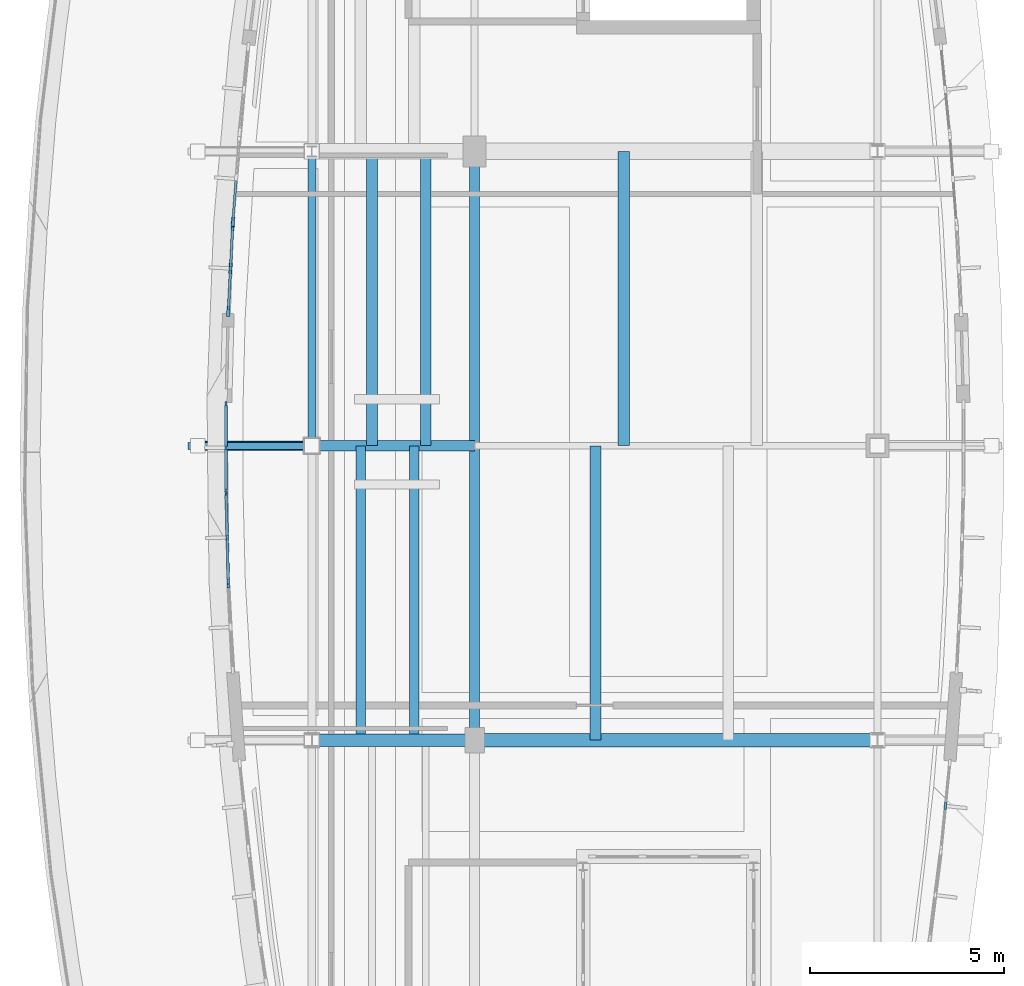
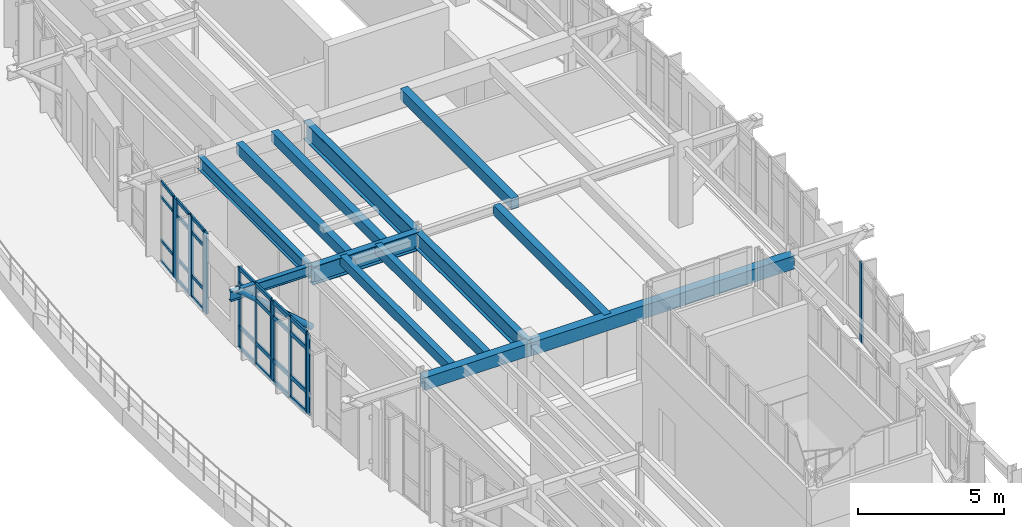
# One storey, part 7 of 20: 41 members, 13 beams, 6 elements without a shape of their own.
"""IFC4 building model written with IfcOpenShell, lengths in metres."""

from ifc_helpers import new_model, si_unit, direction, frame, origin, origin_2d, place, context, subcontext, project, spatial, rectangle, hollow_circle, i_section, extrude, material, material_profile, profile_set, type_object, element, aggregate, save


model = new_model("IFC4")

# Units and contexts
model_context = context("Model", 3, precision=1e-05, world=origin(), true_north=direction((0.0, 1.0)))
body_context = subcontext(model_context, "Body", "Model", "MODEL_VIEW")
ifc_project = project(units=[si_unit("LENGTHUNIT", "METRE"), si_unit("AREAUNIT", "SQUARE_METRE"), si_unit("VOLUMEUNIT", "CUBIC_METRE"), si_unit("PLANEANGLEUNIT", "RADIAN"), si_unit("MASSUNIT", "GRAM", prefix="KILO")], contexts=[model_context])

# Site, building, storey
site_placement = place(None, origin())
site = spatial("IfcSite", under=ifc_project, at=site_placement, CompositionType="ELEMENT")
building_placement = place(site_placement, origin())
building = spatial("IfcBuilding", under=site, at=building_placement, Name="Corveleigh Park Community Centre", CompositionType="ELEMENT")
storey_placement = place(building_placement, frame((0.0, 0.0, 19.800048828125)))
storey = spatial("IfcBuildingStorey", under=building, at=storey_placement, Name="L05", CompositionType="ELEMENT", Elevation=19.800048828125)

# Beams
ifc_material_1 = material(Name="Concrete C40/50", Category="concrete")
ifc_material_profile_1 = material_profile(ifc_material_1, rectangle(XDim=0.25, YDim=0.39990234375, at=origin_2d()), Name="RC-250x400", Category="concrete")
ifc_profile_set_1 = profile_set([ifc_material_profile_1], Name="Concrete C40/50")
beam_type_1 = type_object("IfcBeamType", Name="BM-RC-250x400", PredefinedType="JOIST", material=ifc_profile_set_1)
for number, where, z_axis, x_axis, name in (
    (1, (155.06005859375, 73.804931640625, 3.112060546875), (0.0, 1.0, 0.0), (-1.0, 0.0, 0.0), "Secondary floor joist"),
    (2, (156.446044921875, 73.804931640625, 3.112060546875), (0.0, 1.0, 0.0), (-1.0, 0.0, 0.0), "Secondary floor joist"),
):
    element("IfcBeam", number, at=place(storey_placement, frame(where, z_axis=z_axis, x_axis=x_axis)), inside=storey, type_object=beam_type_1, Name=name, PredefinedType="JOIST", context=body_context, shape_type="SweptSolid", body=[
        extrude(rectangle(XDim=0.25, YDim=0.39990234375, at=origin_2d()), origin(), (0.0, 0.0, 1.0), 7.590087890625),
    ])
ifc_material_profile_2 = material_profile(ifc_material_1, rectangle(XDim=0.27490234375, YDim=0.425048828125, at=origin_2d()), Name="RC-275x425", Category="concrete")
ifc_profile_set_2 = profile_set([ifc_material_profile_2], Name="Concrete C40/50")
beam_type_2 = type_object("IfcBeamType", Name="BM-RC-275x425", PredefinedType="JOIST", material=ifc_profile_set_2)
for number, where, z_axis, x_axis, name in (
    (3, (155.35400390625, 81.405029296875, 3.099365234375), (0.0, 1.0, 0.0), (-1.0, 0.0, 0.0), "Secondary floor joist"),
    (4, (156.739990234375, 81.405029296875, 3.099365234375), (0.0, 1.0, 0.0), (-1.0, 0.0, 0.0), "Secondary floor joist"),
    (5, (161.1201171875, 73.804931640625, 3.099365234375), (0.0, 1.0, 0.0), (-1.0, 0.0, 0.0), "Secondary floor joist"),
):
    element("IfcBeam", number, at=place(storey_placement, frame(where, z_axis=z_axis, x_axis=x_axis)), inside=storey, type_object=beam_type_2, Name=name, PredefinedType="JOIST", context=body_context, shape_type="SweptSolid", body=[
        extrude(rectangle(XDim=0.27490234375, YDim=0.425048828125, at=origin_2d()), origin(), (0.0, 0.0, 1.0), 7.590087890625),
    ])
ifc_material_profile_3 = material_profile(ifc_material_1, rectangle(XDim=0.300048828125, YDim=0.449951171875, at=origin_2d()), Name="RC-300x450", Category="concrete")
ifc_profile_set_3 = profile_set([ifc_material_profile_3], Name="Concrete C40/50")
beam_type_3 = type_object("IfcBeamType", Name="BM-RC-300x450", PredefinedType="JOIST", material=ifc_profile_set_3)
beam_1_placement = place(storey_placement, frame((161.847900390625, 81.405029296875, 3.0869140625), z_axis=(0.0, 1.0, 0.0), x_axis=(-1.0, 0.0, 0.0)))
element("IfcBeam", 6, at=beam_1_placement, inside=storey, type_object=beam_type_3, Name="Secondary floor joist", PredefinedType="JOIST", context=body_context, shape_type="SweptSolid", body=[
    extrude(rectangle(XDim=0.300048828125, YDim=0.449951171875, at=origin_2d()), origin(), (0.0, 0.0, 1.0), 7.590087890625),
])
ifc_material_profile_4 = material_profile(ifc_material_1, rectangle(XDim=0.324951171875, YDim=0.52490234375, at=origin_2d()), Name="RC-325x525", Category="concrete")
ifc_profile_set_4 = profile_set([ifc_material_profile_4], Name="Concrete C40/50")
beam_type_4 = type_object("IfcBeamType", Name="BM-RC-325x525", PredefinedType="BEAM", material=ifc_profile_set_4)
beam_2_placement = place(storey_placement, frame((153.804931640625, 73.800048828125, 3.049560546875), z_axis=(1.0, 0.0, 0.0), x_axis=(0.0, 1.0, 0.0)))
element("IfcBeam", 7, at=beam_2_placement, inside=storey, type_object=beam_type_4, Name="V4 Girder X", PredefinedType="BEAM", context=body_context, shape_type="SweptSolid", body=[
    extrude(rectangle(XDim=0.324951171875, YDim=0.52490234375, at=origin_2d()), origin(), (0.0, 0.0, 1.0), 4.190185546875),
])
ifc_material_profile_5 = material_profile(ifc_material_1, rectangle(XDim=0.35009765625, YDim=0.550048828125, at=origin_2d()), Name="RC-350x550", Category="concrete")
ifc_profile_set_5 = profile_set([ifc_material_profile_5], Name="Concrete C40/50")
beam_type_5 = type_object("IfcBeamType", Name="BM-RC-350x550", PredefinedType="BEAM", material=ifc_profile_set_5)
beam_3_placement = place(storey_placement, frame((158.0048828125, 73.800048828125, 3.036865234375), z_axis=(1.0, 0.0, 0.0), x_axis=(0.0, 1.0, 0.0)))
element("IfcBeam", 8, at=beam_3_placement, inside=storey, type_object=beam_type_5, Name="V4 Girder X", PredefinedType="BEAM", context=body_context, shape_type="SweptSolid", body=[
    extrude(rectangle(XDim=0.35009765625, YDim=0.550048828125, at=origin_2d()), origin(), (0.0, 0.0, 1.0), 10.39013671875),
])
ifc_material_2 = material(Name="Steel S355", Category="steel")
ifc_material_profile_6 = material_profile(ifc_material_2, i_section(OverallWidth=0.1787109375, OverallDepth=0.409423828125, WebThickness=0.0087890625, FlangeThickness=0.014404296875, at=origin_2d()), Name="UKB 406x178x67", Category="steel")
ifc_profile_set_6 = profile_set([ifc_material_profile_6], Name="Steel S355")
beam_type_6 = type_object("IfcBeamType", Name="BM-STL-UKB406x67", PredefinedType="BEAM", material=ifc_profile_set_6)
beam_4_placement = place(storey_placement, frame((153.7900390625, 81.39990234375, 3.1591796875), z_axis=(-1.0, 0.0, 0.0), x_axis=(0.0, -1.0, 0.0)))
element("IfcBeam", 9, at=beam_4_placement, inside=storey, type_object=beam_type_6, Name="V4 Crown Overhang Strut X5Y3 Outrigger", PredefinedType="BEAM", context=body_context, shape_type="SweptSolid", body=[
    extrude(i_section(OverallWidth=0.1787109375, OverallDepth=0.409423828125, WebThickness=0.0087890625, FlangeThickness=0.014404296875, at=origin_2d()), origin(), (0.0, 0.0, 1.0), 3.18994140625),
])
ifc_material_profile_7 = material_profile(ifc_material_2, i_section(OverallWidth=0.2099609375, OverallDepth=0.53662109375, WebThickness=0.0107421875, FlangeThickness=0.017333984375, at=origin_2d()), Name="UKB 533x210x101", Category="steel")
ifc_profile_set_7 = profile_set([ifc_material_profile_7], Name="Steel S355")
beam_type_7 = type_object("IfcBeamType", Name="BM-STL-UKB533x101", PredefinedType="BEAM", material=ifc_profile_set_7)
beam_5_placement = place(storey_placement, frame((153.800048828125, 81.405029296875, 3.04345703125), z_axis=(0.0, 1.0, 0.0), x_axis=(-1.0, 0.0, 0.0)))
element("IfcBeam", 10, at=beam_5_placement, inside=storey, type_object=beam_type_7, Name="V4 Girder Y", PredefinedType="BEAM", context=body_context, shape_type="SweptSolid", body=[
    extrude(i_section(OverallWidth=0.2099609375, OverallDepth=0.53662109375, WebThickness=0.0107421875, FlangeThickness=0.017333984375, at=origin_2d()), origin(), (0.0, 0.0, 1.0), 7.590087890625),
])
ifc_material_profile_8 = material_profile(ifc_material_2, i_section(OverallWidth=0.25439453125, OverallDepth=0.6875, WebThickness=0.01318359375, FlangeThickness=0.02099609375, at=origin_2d()), Name="UKB 686x254x152", Category="steel")
ifc_profile_set_8 = profile_set([ifc_material_profile_8], Name="Steel S355")
beam_type_8 = type_object("IfcBeamType", Name="BM-STL-UKB686x152", PredefinedType="BEAM", material=ifc_profile_set_8)
beam_6_placement = place(storey_placement, frame((158.0, 73.804931640625, 2.96826171875), z_axis=(0.0, 1.0, 0.0), x_axis=(-1.0, 0.0, 0.0)))
element("IfcBeam", 11, at=beam_6_placement, inside=storey, type_object=beam_type_8, Name="V4 Girder Y", PredefinedType="BEAM", context=body_context, shape_type="SweptSolid", body=[
    extrude(i_section(OverallWidth=0.25439453125, OverallDepth=0.6875, WebThickness=0.01318359375, FlangeThickness=0.02099609375, at=origin_2d()), origin(), (0.0, 0.0, 1.0), 7.590087890625),
])
ifc_material_profile_9 = material_profile(ifc_material_2, i_section(OverallWidth=0.2666015625, OverallDepth=0.76220703125, WebThickness=0.014404296875, FlangeThickness=0.021484375, at=origin_2d()), Name="UKB 762x267x173", Category="steel")
ifc_profile_set_9 = profile_set([ifc_material_profile_9], Name="Steel S355")
beam_type_9 = type_object("IfcBeamType", Name="BM-STL-UKB762x173", PredefinedType="BEAM", material=ifc_profile_set_9)
beam_7_placement = place(storey_placement, frame((153.804931640625, 81.39990234375, 2.930908203125), z_axis=(1.0, 0.0, 0.0), x_axis=(0.0, 1.0, 0.0)))
element("IfcBeam", 12, at=beam_7_placement, inside=storey, type_object=beam_type_9, Name="V4 Girder X", PredefinedType="BEAM", context=body_context, shape_type="SweptSolid", body=[
    extrude(i_section(OverallWidth=0.2666015625, OverallDepth=0.76220703125, WebThickness=0.014404296875, FlangeThickness=0.021484375, at=origin_2d()), origin(), (0.0, 0.0, 1.0), 4.190185546875),
])
beam_8_placement = place(storey_placement, frame((158.0, 81.405029296875, 2.930908203125), z_axis=(0.0, 1.0, 0.0), x_axis=(-1.0, 0.0, 0.0)))
element("IfcBeam", 13, at=beam_8_placement, inside=storey, type_object=beam_type_9, Name="V4 Girder Y", PredefinedType="BEAM", context=body_context, shape_type="SweptSolid", body=[
    extrude(i_section(OverallWidth=0.2666015625, OverallDepth=0.76220703125, WebThickness=0.014404296875, FlangeThickness=0.021484375, at=origin_2d()), origin(), (0.0, 0.0, 1.0), 7.590087890625),
])

# Curtain wall, members
ifc_material_3 = material(Name="Anodised aluminium 6063-T6", Category="aluminium")
curtain_wall_type = type_object("IfcCurtainWallType", Name="CW-SYS-V4-L03", PredefinedType="NOTDEFINED", material=ifc_material_3)
curtain_wall_1_placement = place(storey_placement, origin())
curtain_wall_1 = element("IfcCurtainWall", 14, at=curtain_wall_1_placement, inside=storey, type_object=curtain_wall_type, Name="V4 L05 Curtain Wall 493", PredefinedType="NOTDEFINED")
ifc_material_profile_10 = material_profile(ifc_material_3, rectangle(XDim=0.06005859375, YDim=0.159912109375, at=origin_2d()), Name="ALU-M60x160", Category="aluminium")
ifc_profile_set_10 = profile_set([ifc_material_profile_10], Name="Anodised aluminium 6063-T6")
member_type_1 = type_object("IfcMemberType", Name="CWM-60x160", PredefinedType="MULLION", material=ifc_profile_set_10)
member_1_placement = place(storey_placement, frame((151.5849609375, 80.23095703125, 0.0), z_axis=(0.0, 0.0, 1.0), x_axis=(-1.0, 0.0, 0.0)))
member_1 = element("IfcMember", 15, at=member_1_placement, type_object=member_type_1, Name="CW09 mullion 1", PredefinedType="MULLION", context=body_context, shape_type="SweptSolid", body=[
    extrude(rectangle(XDim=0.06005859375, YDim=0.159912109375, at=origin_2d()), origin(), (0.0, 0.0, 1.0), 3.364013671875),
])
member_2_placement = place(storey_placement, frame((151.5849609375, 81.35009765625, 0.0), z_axis=(0.0, 0.0, 1.0), x_axis=(-1.0, 0.0, 0.0)))
member_2 = element("IfcMember", 16, at=member_2_placement, type_object=member_type_1, Name="CW09 mullion 2", PredefinedType="MULLION", context=body_context, shape_type="SweptSolid", body=[
    extrude(rectangle(XDim=0.06005859375, YDim=0.159912109375, at=origin_2d()), origin(), (0.0, 0.0, 1.0), 3.364013671875),
])
member_3_placement = place(storey_placement, frame((151.5849609375, 82.468994140625, 0.0), z_axis=(0.0, 0.0, 1.0), x_axis=(-1.0, 0.0, 0.0)))
member_3 = element("IfcMember", 17, at=member_3_placement, type_object=member_type_1, Name="CW09 mullion 3", PredefinedType="MULLION", context=body_context, shape_type="SweptSolid", body=[
    extrude(rectangle(XDim=0.06005859375, YDim=0.159912109375, at=origin_2d()), origin(), (0.0, 0.0, 1.0), 3.364013671875),
])

# Curtain wall, member
curtain_wall_2_placement = place(storey_placement, origin())
curtain_wall_2 = element("IfcCurtainWall", 18, at=curtain_wall_2_placement, inside=storey, type_object=curtain_wall_type, Name="V4 L05 Curtain Wall 476", PredefinedType="NOTDEFINED")
ifc_material_profile_11 = material_profile(ifc_material_3, rectangle(XDim=0.06494140625, YDim=0.179931640625, at=origin_2d()), Name="ALU-M65x180", Category="aluminium")
ifc_profile_set_11 = profile_set([ifc_material_profile_11], Name="Anodised aluminium 6063-T6")
member_type_2 = type_object("IfcMemberType", Name="CWM-65x180", PredefinedType="MULLION", material=ifc_profile_set_11)
member_4_placement = place(storey_placement, frame((170.152587890625, 72.10546875, 0.0), z_axis=(0.0, 0.0, 1.0), x_axis=(0.995015609659, -0.099719288676, 0.0)))
member_4 = element("IfcMember", 19, at=member_4_placement, type_object=member_type_2, Name="CW09 mullion 2", PredefinedType="MULLION", context=body_context, shape_type="SweptSolid", body=[
    extrude(rectangle(XDim=0.06494140625, YDim=0.179931640625, at=origin_2d()), origin(), (0.0, 0.0, 1.0), 3.364013671875),
])
aggregate(curtain_wall_2, [member_4])

# Curtain wall, members
curtain_wall_3_placement = place(storey_placement, origin())
curtain_wall_3 = element("IfcCurtainWall", 20, at=curtain_wall_3_placement, inside=storey, type_object=curtain_wall_type, Name="V4 L05 Curtain Wall 494", PredefinedType="NOTDEFINED")
member_5_placement = place(storey_placement, frame((151.64208984375, 77.91943359375, 0.0), z_axis=(0.0, 0.0, 1.0), x_axis=(-0.999681085378, -0.025253267842, 0.0)))
member_5 = element("IfcMember", 21, at=member_5_placement, type_object=member_type_2, Name="CW09 mullion 1", PredefinedType="MULLION", context=body_context, shape_type="SweptSolid", body=[
    extrude(rectangle(XDim=0.06494140625, YDim=0.179931640625, at=origin_2d()), origin(), (0.0, 0.0, 1.0), 3.364013671875),
])
member_6_placement = place(storey_placement, frame((151.614013671875, 79.034912109375, 0.0), z_axis=(0.0, 0.0, 1.0), x_axis=(-0.999681085378, -0.025253267842, 0.0)))
member_6 = element("IfcMember", 22, at=member_6_placement, type_object=member_type_2, Name="CW09 mullion 2", PredefinedType="MULLION", context=body_context, shape_type="SweptSolid", body=[
    extrude(rectangle(XDim=0.06494140625, YDim=0.179931640625, at=origin_2d()), origin(), (0.0, 0.0, 1.0), 3.364013671875),
])
member_7_placement = place(storey_placement, frame((151.5859375, 80.150390625, 0.0), z_axis=(0.0, 0.0, 1.0), x_axis=(-0.999681085378, -0.025253267842, 0.0)))
member_7 = element("IfcMember", 23, at=member_7_placement, type_object=member_type_2, Name="CW09 mullion 3", PredefinedType="MULLION", context=body_context, shape_type="SweptSolid", body=[
    extrude(rectangle(XDim=0.06494140625, YDim=0.179931640625, at=origin_2d()), origin(), (0.0, 0.0, 1.0), 3.364013671875),
])

# Curtain wall, member
curtain_wall_4_placement = place(storey_placement, origin())
curtain_wall_4 = element("IfcCurtainWall", 24, at=curtain_wall_4_placement, inside=storey, type_object=curtain_wall_type, Name="V4 L05 Curtain Wall 495", PredefinedType="NOTDEFINED")
ifc_material_profile_12 = material_profile(ifc_material_3, rectangle(XDim=0.070068359375, YDim=0.199951171875, at=origin_2d()), Name="ALU-M70x200", Category="aluminium")
ifc_profile_set_12 = profile_set([ifc_material_profile_12], Name="Anodised aluminium 6063-T6")
member_type_3 = type_object("IfcMemberType", Name="CWM-70x200", PredefinedType="MULLION", material=ifc_profile_set_12)
member_8_placement = place(storey_placement, frame((151.644775390625, 77.833984375, 0.0), z_axis=(0.0, 0.0, 1.0), x_axis=(-0.998725060912, -0.050480220936, 0.0)))
member_8 = element("IfcMember", 25, at=member_8_placement, type_object=member_type_3, Name="CW09 mullion 3", PredefinedType="MULLION", context=body_context, shape_type="SweptSolid", body=[
    extrude(rectangle(XDim=0.070068359375, YDim=0.199951171875, at=origin_2d()), origin(), (0.0, 0.0, 1.0), 3.364013671875),
])
aggregate(curtain_wall_4, [member_8])

curtain_wall_5_placement = place(storey_placement, origin())
curtain_wall_5 = element("IfcCurtainWall", 26, at=curtain_wall_5_placement, inside=storey, type_object=curtain_wall_type, Name="V4 L05 Curtain Wall 491", PredefinedType="NOTDEFINED")
ifc_material_profile_13 = material_profile(ifc_material_3, rectangle(XDim=0.080078125, YDim=0.25, at=origin_2d()), Name="ALU-M80x250", Category="aluminium")
ifc_profile_set_13 = profile_set([ifc_material_profile_13], Name="Anodised aluminium 6063-T6")
member_type_4 = type_object("IfcMemberType", Name="CWM-80x250", PredefinedType="MULLION", material=ifc_profile_set_13)
member_9_placement = place(storey_placement, frame((151.762939453125, 87.181884765625, 0.0), z_axis=(0.0, 0.0, 1.0), x_axis=(-0.997228438227, 0.074400551014, 0.0)))
member_9 = element("IfcMember", 27, at=member_9_placement, type_object=member_type_4, Name="CW09 mullion 1", PredefinedType="MULLION", context=body_context, shape_type="SweptSolid", body=[
    extrude(rectangle(XDim=0.080078125, YDim=0.25, at=origin_2d()), origin(), (0.0, 0.0, 1.0), 3.364013671875),
])

# Curtain wall, members
curtain_wall_6_placement = place(storey_placement, origin())
curtain_wall_6 = element("IfcCurtainWall", 28, at=curtain_wall_6_placement, inside=storey, type_object=curtain_wall_type, Name="V4 L05 Curtain Wall 492", PredefinedType="NOTDEFINED")
ifc_material_profile_14 = material_profile(ifc_material_3, rectangle(XDim=0.0849609375, YDim=0.27490234375, at=origin_2d()), Name="ALU-M85x275", Category="aluminium")
ifc_profile_set_14 = profile_set([ifc_material_profile_14], Name="Anodised aluminium 6063-T6")
member_type_5 = type_object("IfcMemberType", Name="CWM-85x275", PredefinedType="MULLION", material=ifc_profile_set_14)
member_10_placement = place(storey_placement, frame((151.645263671875, 84.87353515625, 0.0), z_axis=(0.0, 0.0, 1.0), x_axis=(-0.998725060912, 0.050480220936, 0.0)))
member_10 = element("IfcMember", 29, at=member_10_placement, type_object=member_type_5, Name="CW09 mullion 1", PredefinedType="MULLION", context=body_context, shape_type="SweptSolid", body=[
    extrude(rectangle(XDim=0.0849609375, YDim=0.27490234375, at=origin_2d()), origin(), (0.0, 0.0, 1.0), 3.364013671875),
])
member_11_placement = place(storey_placement, frame((151.700927734375, 85.978515625, 0.0), z_axis=(0.0, 0.0, 1.0), x_axis=(-0.998725060912, 0.050480220936, 0.0)))
member_11 = element("IfcMember", 30, at=member_11_placement, type_object=member_type_5, Name="CW09 mullion 2", PredefinedType="MULLION", context=body_context, shape_type="SweptSolid", body=[
    extrude(rectangle(XDim=0.0849609375, YDim=0.27490234375, at=origin_2d()), origin(), (0.0, 0.0, 1.0), 3.364013671875),
])
member_12_placement = place(storey_placement, frame((151.7568359375, 87.08349609375, 0.0), z_axis=(0.0, 0.0, 1.0), x_axis=(-0.998725060912, 0.050480220936, 0.0)))
member_12 = element("IfcMember", 31, at=member_12_placement, type_object=member_type_5, Name="CW09 mullion 3", PredefinedType="MULLION", context=body_context, shape_type="SweptSolid", body=[
    extrude(rectangle(XDim=0.0849609375, YDim=0.27490234375, at=origin_2d()), origin(), (0.0, 0.0, 1.0), 3.364013671875),
])

# Member
ifc_material_profile_15 = material_profile(ifc_material_3, rectangle(XDim=0.06005859375, YDim=0.1201171875, at=origin_2d()), Name="ALU-T60x120", Category="aluminium")
ifc_profile_set_15 = profile_set([ifc_material_profile_15], Name="Anodised aluminium 6063-T6")
member_type_6 = type_object("IfcMemberType", Name="CWT-60x120", PredefinedType="USERDEFINED", material=ifc_profile_set_15)
member_13_placement = place(storey_placement, frame((151.765869140625, 87.2216796875, 0.030029296875), z_axis=(0.074483299239, 0.997222261151, 0.0), x_axis=(-0.997222261151, 0.074483299239, 0.0)))
member_13 = element("IfcMember", 32, at=member_13_placement, type_object=member_type_6, Name="CW09 transom 1.1", ObjectType="TRANSOM", PredefinedType="USERDEFINED", context=body_context, shape_type="SweptSolid", body=[
    extrude(rectangle(XDim=0.06005859375, YDim=0.1201171875, at=origin_2d()), origin(), (0.0, 0.0, 1.0), 1.029296875),
])

member_14_placement = place(storey_placement, frame((151.765869140625, 87.2216796875, 0.89990234375), z_axis=(0.074483299239, 0.997222261151, 0.0), x_axis=(-0.997222261151, 0.074483299239, 0.0)))
member_14 = element("IfcMember", 33, at=member_14_placement, type_object=member_type_6, Name="CW09 transom 1.2", ObjectType="TRANSOM", PredefinedType="USERDEFINED", context=body_context, shape_type="SweptSolid", body=[
    extrude(rectangle(XDim=0.06005859375, YDim=0.1201171875, at=origin_2d()), origin(), (0.0, 0.0, 1.0), 1.029296875),
])

member_15_placement = place(storey_placement, frame((151.765869140625, 87.2216796875, 2.7138671875), z_axis=(0.074483299239, 0.997222261151, 0.0), x_axis=(-0.997222261151, 0.074483299239, 0.0)))
member_15 = element("IfcMember", 34, at=member_15_placement, type_object=member_type_6, Name="CW09 transom 1.3", ObjectType="TRANSOM", PredefinedType="USERDEFINED", context=body_context, shape_type="SweptSolid", body=[
    extrude(rectangle(XDim=0.06005859375, YDim=0.1201171875, at=origin_2d()), origin(), (0.0, 0.0, 1.0), 1.029296875),
])

member_16_placement = place(storey_placement, frame((151.765869140625, 87.2216796875, 3.333984375), z_axis=(0.074483299239, 0.997222261151, 0.0), x_axis=(-0.997222261151, 0.074483299239, 0.0)))
member_16 = element("IfcMember", 35, at=member_16_placement, type_object=member_type_6, Name="CW09 transom 1.4", ObjectType="TRANSOM", PredefinedType="USERDEFINED", context=body_context, shape_type="SweptSolid", body=[
    extrude(rectangle(XDim=0.06005859375, YDim=0.1201171875, at=origin_2d()), origin(), (0.0, 0.0, 1.0), 1.029296875),
])

aggregate(curtain_wall_5, [member_9, member_13, member_14, member_15, member_16])

ifc_material_profile_16 = material_profile(ifc_material_3, rectangle(XDim=0.06494140625, YDim=0.139892578125, at=origin_2d()), Name="ALU-T65x140", Category="aluminium")
ifc_profile_set_16 = profile_set([ifc_material_profile_16], Name="Anodised aluminium 6063-T6")
member_type_7 = type_object("IfcMemberType", Name="CWT-65x140", PredefinedType="USERDEFINED", material=ifc_profile_set_16)
member_17_placement = place(storey_placement, frame((151.647216796875, 84.915771484375, 0.032470703125), z_axis=(0.050664688356, 0.998715719989, 0.0), x_axis=(-0.998715719989, 0.050664688356, 0.0)))
member_17 = element("IfcMember", 36, at=member_17_placement, type_object=member_type_7, Name="CW09 transom 1.1", ObjectType="TRANSOM", PredefinedType="USERDEFINED", context=body_context, shape_type="SweptSolid", body=[
    extrude(rectangle(XDim=0.06494140625, YDim=0.139892578125, at=origin_2d()), origin(), (0.0, 0.0, 1.0), 1.021484375),
])

member_18_placement = place(storey_placement, frame((151.647216796875, 84.915771484375, 0.89990234375), z_axis=(0.050664688356, 0.998715719989, 0.0), x_axis=(-0.998715719989, 0.050664688356, 0.0)))
member_18 = element("IfcMember", 37, at=member_18_placement, type_object=member_type_7, Name="CW09 transom 1.2", ObjectType="TRANSOM", PredefinedType="USERDEFINED", context=body_context, shape_type="SweptSolid", body=[
    extrude(rectangle(XDim=0.06494140625, YDim=0.139892578125, at=origin_2d()), origin(), (0.0, 0.0, 1.0), 1.021484375),
])

member_19_placement = place(storey_placement, frame((151.647216796875, 84.915771484375, 2.7138671875), z_axis=(0.050664688356, 0.998715719989, 0.0), x_axis=(-0.998715719989, 0.050664688356, 0.0)))
member_19 = element("IfcMember", 38, at=member_19_placement, type_object=member_type_7, Name="CW09 transom 1.3", ObjectType="TRANSOM", PredefinedType="USERDEFINED", context=body_context, shape_type="SweptSolid", body=[
    extrude(rectangle(XDim=0.06494140625, YDim=0.139892578125, at=origin_2d()), origin(), (0.0, 0.0, 1.0), 1.021484375),
])

member_20_placement = place(storey_placement, frame((151.647216796875, 84.915771484375, 3.33154296875), z_axis=(0.050664688356, 0.998715719989, 0.0), x_axis=(-0.998715719989, 0.050664688356, 0.0)))
member_20 = element("IfcMember", 39, at=member_20_placement, type_object=member_type_7, Name="CW09 transom 1.4", ObjectType="TRANSOM", PredefinedType="USERDEFINED", context=body_context, shape_type="SweptSolid", body=[
    extrude(rectangle(XDim=0.06494140625, YDim=0.139892578125, at=origin_2d()), origin(), (0.0, 0.0, 1.0), 1.021484375),
])

member_21_placement = place(storey_placement, frame((151.703125, 86.02099609375, 0.032470703125), z_axis=(0.05043835189, 0.998727176289, 0.0), x_axis=(-0.998727176289, 0.05043835189, 0.0)))
member_21 = element("IfcMember", 40, at=member_21_placement, type_object=member_type_7, Name="CW09 transom 2.1", ObjectType="TRANSOM", PredefinedType="USERDEFINED", context=body_context, shape_type="SweptSolid", body=[
    extrude(rectangle(XDim=0.06494140625, YDim=0.139892578125, at=origin_2d()), origin(), (0.0, 0.0, 1.0), 1.021240234375),
])

member_22_placement = place(storey_placement, frame((151.703125, 86.02099609375, 0.89990234375), z_axis=(0.05043835189, 0.998727176289, 0.0), x_axis=(-0.998727176289, 0.05043835189, 0.0)))
member_22 = element("IfcMember", 41, at=member_22_placement, type_object=member_type_7, Name="CW09 transom 2.2", ObjectType="TRANSOM", PredefinedType="USERDEFINED", context=body_context, shape_type="SweptSolid", body=[
    extrude(rectangle(XDim=0.06494140625, YDim=0.139892578125, at=origin_2d()), origin(), (0.0, 0.0, 1.0), 1.021240234375),
])

member_23_placement = place(storey_placement, frame((151.703125, 86.02099609375, 2.7138671875), z_axis=(0.05043835189, 0.998727176289, 0.0), x_axis=(-0.998727176289, 0.05043835189, 0.0)))
member_23 = element("IfcMember", 42, at=member_23_placement, type_object=member_type_7, Name="CW09 transom 2.3", ObjectType="TRANSOM", PredefinedType="USERDEFINED", context=body_context, shape_type="SweptSolid", body=[
    extrude(rectangle(XDim=0.06494140625, YDim=0.139892578125, at=origin_2d()), origin(), (0.0, 0.0, 1.0), 1.021240234375),
])

member_24_placement = place(storey_placement, frame((151.703125, 86.02099609375, 3.33154296875), z_axis=(0.05043835189, 0.998727176289, 0.0), x_axis=(-0.998727176289, 0.05043835189, 0.0)))
member_24 = element("IfcMember", 43, at=member_24_placement, type_object=member_type_7, Name="CW09 transom 2.4", ObjectType="TRANSOM", PredefinedType="USERDEFINED", context=body_context, shape_type="SweptSolid", body=[
    extrude(rectangle(XDim=0.06494140625, YDim=0.139892578125, at=origin_2d()), origin(), (0.0, 0.0, 1.0), 1.021240234375),
])

aggregate(curtain_wall_6, [member_10, member_11, member_12, member_17, member_18, member_19, member_20, member_21, member_22, member_23, member_24])

ifc_material_profile_17 = material_profile(ifc_material_3, rectangle(XDim=0.070068359375, YDim=0.155029296875, at=origin_2d()), Name="ALU-T70x155", Category="aluminium")
ifc_profile_set_17 = profile_set([ifc_material_profile_17], Name="Anodised aluminium 6063-T6")
member_type_8 = type_object("IfcMemberType", Name="CWT-70x155", PredefinedType="USERDEFINED", material=ifc_profile_set_17)
member_25_placement = place(storey_placement, frame((151.5849609375, 80.260986328125, 0.034912109375), z_axis=(0.0, 1.0, 0.0), x_axis=(-1.0, 0.0, 0.0)))
member_25 = element("IfcMember", 44, at=member_25_placement, type_object=member_type_8, Name="CW09 transom 1.1", ObjectType="TRANSOM", PredefinedType="USERDEFINED", context=body_context, shape_type="SweptSolid", body=[
    extrude(rectangle(XDim=0.070068359375, YDim=0.155029296875, at=origin_2d()), origin(), (0.0, 0.0, 1.0), 1.05908203125),
])

member_26_placement = place(storey_placement, frame((151.5849609375, 80.260986328125, 0.89990234375), z_axis=(0.0, 1.0, 0.0), x_axis=(-1.0, 0.0, 0.0)))
member_26 = element("IfcMember", 45, at=member_26_placement, type_object=member_type_8, Name="CW09 transom 1.2", ObjectType="TRANSOM", PredefinedType="USERDEFINED", context=body_context, shape_type="SweptSolid", body=[
    extrude(rectangle(XDim=0.070068359375, YDim=0.155029296875, at=origin_2d()), origin(), (0.0, 0.0, 1.0), 1.05908203125),
])

member_27_placement = place(storey_placement, frame((151.5849609375, 80.260986328125, 2.7138671875), z_axis=(0.0, 1.0, 0.0), x_axis=(-1.0, 0.0, 0.0)))
member_27 = element("IfcMember", 46, at=member_27_placement, type_object=member_type_8, Name="CW09 transom 1.3", ObjectType="TRANSOM", PredefinedType="USERDEFINED", context=body_context, shape_type="SweptSolid", body=[
    extrude(rectangle(XDim=0.070068359375, YDim=0.155029296875, at=origin_2d()), origin(), (0.0, 0.0, 1.0), 1.05908203125),
])

member_28_placement = place(storey_placement, frame((151.5849609375, 80.260986328125, 3.328857421875), z_axis=(0.0, 1.0, 0.0), x_axis=(-1.0, 0.0, 0.0)))
member_28 = element("IfcMember", 47, at=member_28_placement, type_object=member_type_8, Name="CW09 transom 1.4", ObjectType="TRANSOM", PredefinedType="USERDEFINED", context=body_context, shape_type="SweptSolid", body=[
    extrude(rectangle(XDim=0.070068359375, YDim=0.155029296875, at=origin_2d()), origin(), (0.0, 0.0, 1.0), 1.05908203125),
])

member_29_placement = place(storey_placement, frame((151.5849609375, 81.3798828125, 0.034912109375), z_axis=(0.0, 1.0, 0.0), x_axis=(-1.0, 0.0, 0.0)))
member_29 = element("IfcMember", 48, at=member_29_placement, type_object=member_type_8, Name="CW09 transom 2.1", ObjectType="TRANSOM", PredefinedType="USERDEFINED", context=body_context, shape_type="SweptSolid", body=[
    extrude(rectangle(XDim=0.070068359375, YDim=0.155029296875, at=origin_2d()), origin(), (0.0, 0.0, 1.0), 1.05908203125),
])

member_30_placement = place(storey_placement, frame((151.5849609375, 81.3798828125, 0.89990234375), z_axis=(0.0, 1.0, 0.0), x_axis=(-1.0, 0.0, 0.0)))
member_30 = element("IfcMember", 49, at=member_30_placement, type_object=member_type_8, Name="CW09 transom 2.2", ObjectType="TRANSOM", PredefinedType="USERDEFINED", context=body_context, shape_type="SweptSolid", body=[
    extrude(rectangle(XDim=0.070068359375, YDim=0.155029296875, at=origin_2d()), origin(), (0.0, 0.0, 1.0), 1.05908203125),
])

member_31_placement = place(storey_placement, frame((151.5849609375, 81.3798828125, 2.7138671875), z_axis=(0.0, 1.0, 0.0), x_axis=(-1.0, 0.0, 0.0)))
member_31 = element("IfcMember", 50, at=member_31_placement, type_object=member_type_8, Name="CW09 transom 2.3", ObjectType="TRANSOM", PredefinedType="USERDEFINED", context=body_context, shape_type="SweptSolid", body=[
    extrude(rectangle(XDim=0.070068359375, YDim=0.155029296875, at=origin_2d()), origin(), (0.0, 0.0, 1.0), 1.05908203125),
])

member_32_placement = place(storey_placement, frame((151.5849609375, 81.3798828125, 3.328857421875), z_axis=(0.0, 1.0, 0.0), x_axis=(-1.0, 0.0, 0.0)))
member_32 = element("IfcMember", 51, at=member_32_placement, type_object=member_type_8, Name="CW09 transom 2.4", ObjectType="TRANSOM", PredefinedType="USERDEFINED", context=body_context, shape_type="SweptSolid", body=[
    extrude(rectangle(XDim=0.070068359375, YDim=0.155029296875, at=origin_2d()), origin(), (0.0, 0.0, 1.0), 1.05908203125),
])

aggregate(curtain_wall_1, [member_1, member_2, member_3, member_25, member_26, member_27, member_28, member_29, member_30, member_31, member_32])

ifc_material_profile_18 = material_profile(ifc_material_3, rectangle(XDim=0.074951171875, YDim=0.175048828125, at=origin_2d()), Name="ALU-T75x175", Category="aluminium")
ifc_profile_set_18 = profile_set([ifc_material_profile_18], Name="Anodised aluminium 6063-T6")
member_type_9 = type_object("IfcMemberType", Name="CWT-75x175", PredefinedType="USERDEFINED", material=ifc_profile_set_18)
member_33_placement = place(storey_placement, frame((151.641357421875, 77.951904296875, 0.037353515625), z_axis=(-0.025323041116, 0.999679320377, 0.0), x_axis=(-0.999679320377, -0.025323041116, 0.0)))
member_33 = element("IfcMember", 52, at=member_33_placement, type_object=member_type_9, Name="CW09 transom 1.1", ObjectType="TRANSOM", PredefinedType="USERDEFINED", context=body_context, shape_type="SweptSolid", body=[
    extrude(rectangle(XDim=0.074951171875, YDim=0.175048828125, at=origin_2d()), origin(), (0.0, 0.0, 1.0), 1.05078125),
])

member_34_placement = place(storey_placement, frame((151.641357421875, 77.951904296875, 0.89990234375), z_axis=(-0.025323041116, 0.999679320377, 0.0), x_axis=(-0.999679320377, -0.025323041116, 0.0)))
member_34 = element("IfcMember", 53, at=member_34_placement, type_object=member_type_9, Name="CW09 transom 1.2", ObjectType="TRANSOM", PredefinedType="USERDEFINED", context=body_context, shape_type="SweptSolid", body=[
    extrude(rectangle(XDim=0.074951171875, YDim=0.175048828125, at=origin_2d()), origin(), (0.0, 0.0, 1.0), 1.05078125),
])

member_35_placement = place(storey_placement, frame((151.641357421875, 77.951904296875, 2.7138671875), z_axis=(-0.025323041116, 0.999679320377, 0.0), x_axis=(-0.999679320377, -0.025323041116, 0.0)))
member_35 = element("IfcMember", 54, at=member_35_placement, type_object=member_type_9, Name="CW09 transom 1.3", ObjectType="TRANSOM", PredefinedType="USERDEFINED", context=body_context, shape_type="SweptSolid", body=[
    extrude(rectangle(XDim=0.074951171875, YDim=0.175048828125, at=origin_2d()), origin(), (0.0, 0.0, 1.0), 1.05078125),
])

member_36_placement = place(storey_placement, frame((151.641357421875, 77.951904296875, 3.326416015625), z_axis=(-0.025323041116, 0.999679320377, 0.0), x_axis=(-0.999679320377, -0.025323041116, 0.0)))
member_36 = element("IfcMember", 55, at=member_36_placement, type_object=member_type_9, Name="CW09 transom 1.4", ObjectType="TRANSOM", PredefinedType="USERDEFINED", context=body_context, shape_type="SweptSolid", body=[
    extrude(rectangle(XDim=0.074951171875, YDim=0.175048828125, at=origin_2d()), origin(), (0.0, 0.0, 1.0), 1.05078125),
])

member_37_placement = place(storey_placement, frame((151.61328125, 79.0673828125, 0.037353515625), z_axis=(-0.025323041116, 0.999679320377, 0.0), x_axis=(-0.999679320377, -0.025323041116, 0.0)))
member_37 = element("IfcMember", 56, at=member_37_placement, type_object=member_type_9, Name="CW09 transom 2.1", ObjectType="TRANSOM", PredefinedType="USERDEFINED", context=body_context, shape_type="SweptSolid", body=[
    extrude(rectangle(XDim=0.074951171875, YDim=0.175048828125, at=origin_2d()), origin(), (0.0, 0.0, 1.0), 1.05078125),
])

member_38_placement = place(storey_placement, frame((151.61328125, 79.0673828125, 0.89990234375), z_axis=(-0.025323041116, 0.999679320377, 0.0), x_axis=(-0.999679320377, -0.025323041116, 0.0)))
member_38 = element("IfcMember", 57, at=member_38_placement, type_object=member_type_9, Name="CW09 transom 2.2", ObjectType="TRANSOM", PredefinedType="USERDEFINED", context=body_context, shape_type="SweptSolid", body=[
    extrude(rectangle(XDim=0.074951171875, YDim=0.175048828125, at=origin_2d()), origin(), (0.0, 0.0, 1.0), 1.05078125),
])

member_39_placement = place(storey_placement, frame((151.61328125, 79.0673828125, 2.7138671875), z_axis=(-0.025323041116, 0.999679320377, 0.0), x_axis=(-0.999679320377, -0.025323041116, 0.0)))
member_39 = element("IfcMember", 58, at=member_39_placement, type_object=member_type_9, Name="CW09 transom 2.3", ObjectType="TRANSOM", PredefinedType="USERDEFINED", context=body_context, shape_type="SweptSolid", body=[
    extrude(rectangle(XDim=0.074951171875, YDim=0.175048828125, at=origin_2d()), origin(), (0.0, 0.0, 1.0), 1.05078125),
])

member_40_placement = place(storey_placement, frame((151.61328125, 79.0673828125, 3.326416015625), z_axis=(-0.025323041116, 0.999679320377, 0.0), x_axis=(-0.999679320377, -0.025323041116, 0.0)))
member_40 = element("IfcMember", 59, at=member_40_placement, type_object=member_type_9, Name="CW09 transom 2.4", ObjectType="TRANSOM", PredefinedType="USERDEFINED", context=body_context, shape_type="SweptSolid", body=[
    extrude(rectangle(XDim=0.074951171875, YDim=0.175048828125, at=origin_2d()), origin(), (0.0, 0.0, 1.0), 1.05078125),
])

aggregate(curtain_wall_3, [member_5, member_6, member_7, member_33, member_34, member_35, member_36, member_37, member_38, member_39, member_40])

ifc_material_profile_19 = material_profile(ifc_material_2, hollow_circle(Radius=0.122314453125, WallThickness=0.012451171875, at=origin_2d()), Name="CHS 244.5x12.5", Category="steel")
ifc_profile_set_19 = profile_set([ifc_material_profile_19], Name="Steel S355")
member_type_10 = type_object("IfcMemberType", Name="MEM-STR-CHS245", PredefinedType="STRUT", material=ifc_profile_set_19)
member_41_placement = place(storey_placement, frame((153.800048828125, 81.39990234375, 0.75), z_axis=(-0.748675336061, 0.0, 0.662936830455), x_axis=(0.0, -1.0, 0.0)))
element("IfcMember", 60, at=member_41_placement, inside=storey, type_object=member_type_10, Name="V4 Crown Overhang Strut X5Y3", PredefinedType="STRUT", context=body_context, shape_type="SweptSolid", body=[
    extrude(hollow_circle(Radius=0.122314453125, WallThickness=0.012451171875, at=origin_2d()), origin(), (0.0, 0.0, 1.0), 3.932373046875),
])

save(model, "model.ifc")
